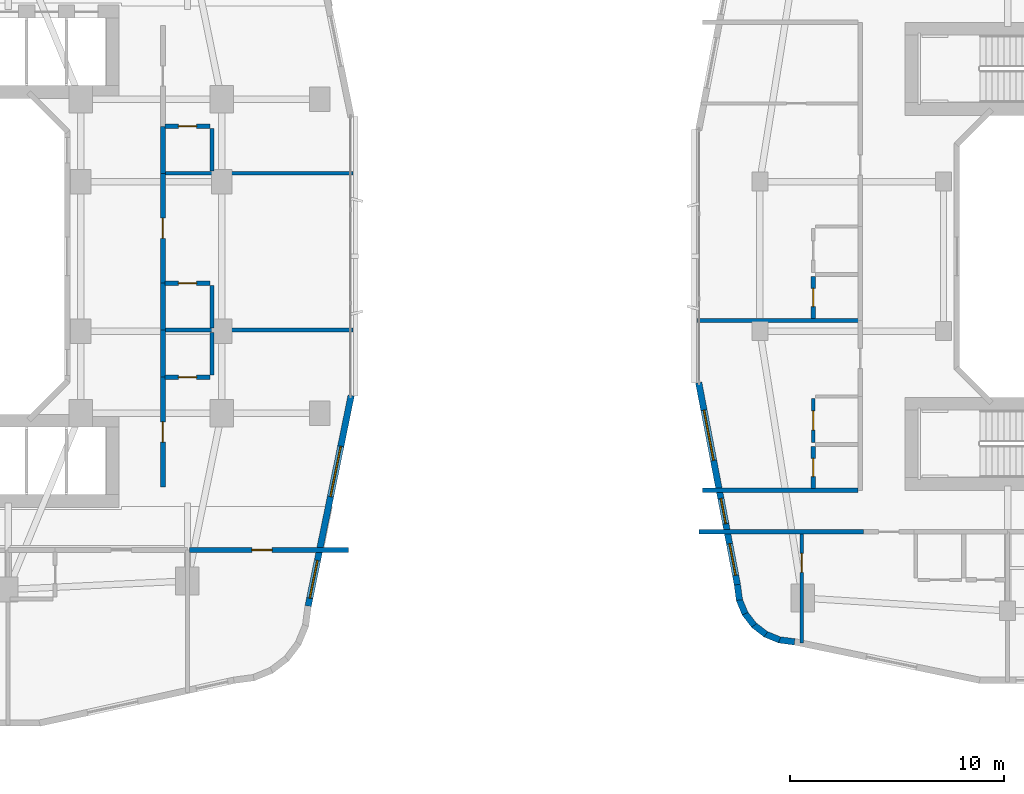
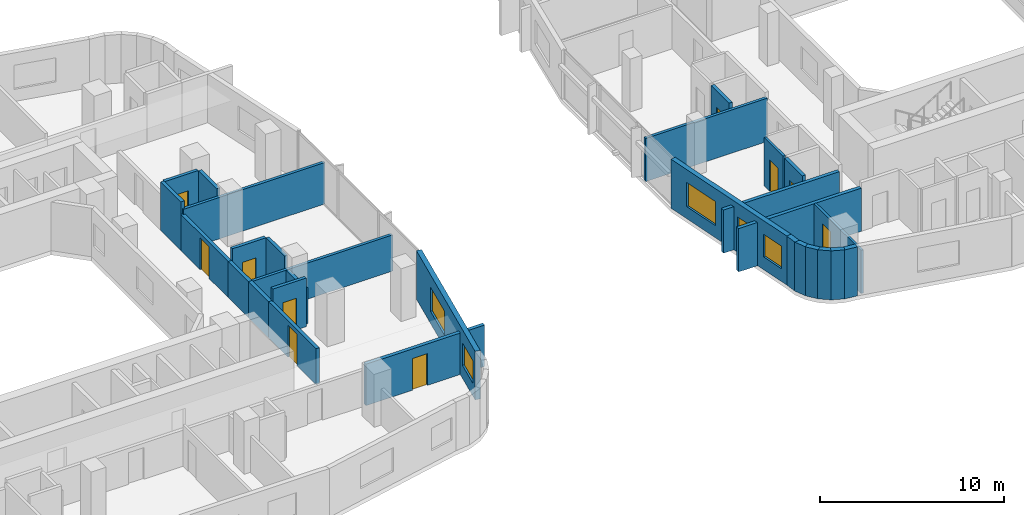
# One storey, part 10 of 22: 29 walls, 10 doors, 5 windows, 15 openings.
"""IFC4 building model written with IfcOpenShell, lengths in metres."""

from ifc_helpers import new_model, si_unit, derived_unit, direction, frame, frame_2d, origin, place, context, subcontext, project, spatial, rectangle, extrude, material, layer, layer_set, type_object, element, fill, save


model = new_model("IFC4")

# Units and contexts
model_context = context("Model", 3, precision=1e-05, world=origin(), true_north=direction((0.0, 1.0)))
body_context = subcontext(model_context, "Body", "Model", "MODEL_VIEW")
ifc_project = project(units=[si_unit("LENGTHUNIT", "METRE"), si_unit("AREAUNIT", "SQUARE_METRE"), si_unit("VOLUMEUNIT", "CUBIC_METRE"), si_unit("PLANEANGLEUNIT", "RADIAN"), si_unit("MASSUNIT", "GRAM", prefix="KILO"), derived_unit("THERMALTRANSMITTANCEUNIT", [(si_unit("POWERUNIT", "WATT"), 1), (si_unit("LENGTHUNIT", "METRE"), -2), (si_unit("THERMODYNAMICTEMPERATUREUNIT", "KELVIN"), -1)])], contexts=[model_context])

# Site, building, storey
site_placement = place(None, origin())
site = spatial("IfcSite", under=ifc_project, at=site_placement, CompositionType="ELEMENT")
building_placement = place(site_placement, origin())
building = spatial("IfcBuilding", under=site, at=building_placement, Name="Kivonza Crest Hotel", CompositionType="ELEMENT")
storey_placement = place(building_placement, frame((0.0, 0.0, 48.5)))
storey = spatial("IfcBuildingStorey", under=building, at=storey_placement, Name="L12", CompositionType="ELEMENT", Elevation=48.5)

# Walls
ifc_material_1 = material(Name="High-density acoustic masonry inter-tenancy wall", Category="masonry")
ifc_layer_1 = layer(ifc_material_1, 0.179931640625)
ifc_layer_set_1 = layer_set([ifc_layer_1], Name="High-density acoustic masonry inter-tenancy wall")
wall_type_1 = type_object("IfcWallType", Name="WL-ACOU-180", PredefinedType="SOLIDWALL", material=ifc_layer_set_1)
wall_1_placement = place(storey_placement, frame((33.050048828125, 21.5439453125, 0.0), z_axis=(0.0, 0.0, 1.0), x_axis=(1.0, 0.0, 0.0)))
element("IfcWall", 1, at=wall_1_placement, inside=storey, type_object=wall_type_1, Name="L12 interior partition WA-L12-T1E-DIV1", PredefinedType="SOLIDWALL", context=body_context, shape_type="SweptSolid", body=[
    extrude(rectangle(XDim=8.889892578125, YDim=0.179931640625, at=frame_2d((4.44482421875, 0.0))), origin(), (0.0, 0.0, 1.0), 2.39501953125),
])
wall_2_placement = place(storey_placement, frame((33.050048828125, 28.887939453125, 0.0), z_axis=(0.0, 0.0, 1.0), x_axis=(1.0, 0.0, 0.0)))
element("IfcWall", 2, at=wall_2_placement, inside=storey, type_object=wall_type_1, Name="L12 interior partition WA-L12-T1E-DIV2", PredefinedType="SOLIDWALL", context=body_context, shape_type="SweptSolid", body=[
    extrude(rectangle(XDim=8.889892578125, YDim=0.179931640625, at=frame_2d((4.44482421875, 0.0))), origin(), (0.0, 0.0, 1.0), 2.7451171875),
])
wall_3_placement = place(storey_placement, frame((58.06005859375, 22.0, 0.0), z_axis=(0.0, 0.0, 1.0), x_axis=(1.0, 0.0, 0.0)))
element("IfcWall", 3, at=wall_3_placement, inside=storey, type_object=wall_type_1, Name="L12 interior partition WA-L12-T2W-DIV1", PredefinedType="SOLIDWALL", context=body_context, shape_type="SweptSolid", body=[
    extrude(rectangle(XDim=7.639892578125, YDim=0.179931640625, at=frame_2d((3.81982421875, 0.0))), origin(), (0.0, 0.0, 1.0), 2.864990234375),
])

# Wall, opening, door
ifc_material_2 = material(Name="Autoclaved aerated concrete blockwork", Category="masonry")
ifc_layer_2 = layer(ifc_material_2, 0.219970703125)
ifc_layer_set_2 = layer_set([ifc_layer_2], Name="Autoclaved aerated concrete blockwork")
wall_type_2 = type_object("IfcWallType", Name="WL-ACOU-220", PredefinedType="SOLIDWALL", material=ifc_layer_set_2)
wall_4_placement = place(storey_placement, frame((34.300048828125, 11.25, 0.0), z_axis=(0.0, 0.0, 1.0), x_axis=(1.0, 0.0, 0.0)))
wall_4 = element("IfcWall", 4, at=wall_4_placement, inside=storey, type_object=wall_type_2, Name="L12 interior partition WA-L12-BUS-MTG-N", PredefinedType="SOLIDWALL", context=body_context, shape_type="SweptSolid", body=[
    extrude(rectangle(XDim=7.43994140625, YDim=0.219970703125, at=frame_2d((3.719970703125, 0.0))), origin(), (0.0, 0.0, 1.0), 2.7451171875),
])
opening_1_placement = place(wall_4_placement, frame((2.910888671875, 0.0, 0.0)))
opening_1 = element("IfcOpeningElement", 5, at=opening_1_placement, cuts=wall_4, Name="Opening DF-60S", PredefinedType="OPENING", context=body_context, shape_type="SweptSolid", body=[
    extrude(rectangle(XDim=0.949951171875, YDim=2.10009765625, at=frame_2d((0.47509765625, 1.050048828125))), frame((0.0, 0.1201171875, 0.0), z_axis=(0.0, -1.0, 0.0), x_axis=(1.0, 0.0, 0.0)), (0.0, 0.0, 1.0), 0.239990234375),
])
ifc_material_3 = material(Name="Hardwood timber oak", Category="wood")
door_type_1 = type_object("IfcDoorType", Name="DR-FD60-950", OperationType="NOTDEFINED", PredefinedType="DOOR", material=ifc_material_3)
door_1_placement = place(opening_1_placement, frame((0.949951171875, 0.0, 0.0), z_axis=(0.0, 0.0, 1.0), x_axis=(-1.0, 0.0, 0.0)))
door_1 = element("IfcDoor", 6, at=door_1_placement, inside=storey, type_object=door_type_1, Name="L12 Floor Conference Boardroom door", OperationType="SINGLE_SWING_RIGHT", OverallHeight=2.10009765625, OverallWidth=0.949951171875, PredefinedType="DOOR", context=body_context, shape_type="SweptSolid", body=[
    extrude(rectangle(XDim=0.949951171875, YDim=2.10009765625, at=frame_2d((0.47509765625, 1.050048828125))), frame((0.0, 0.02490234375, 0.0), z_axis=(0.0, -1.0, 0.0), x_axis=(1.0, 0.0, 0.0)), (0.0, 0.0, 1.0), 0.050048828125),
])
fill(opening_1, door_1)

# Wall
wall_5_placement = place(storey_placement, frame((33.050048828125, 19.343994140625, 0.0), z_axis=(0.0, 0.0, 1.0), x_axis=(0.0, 1.0, 0.0)))
element("IfcWall", 7, at=wall_5_placement, inside=storey, type_object=wall_type_2, Name="L12 interior partition WA-L12-E09-BCORR", PredefinedType="SOLIDWALL", context=body_context, shape_type="SweptSolid", body=[
    extrude(rectangle(XDim=2.199951171875, YDim=0.219970703125, at=frame_2d((1.10009765625, 0.0))), origin(), (0.0, 0.0, 1.0), 2.39501953125),
])

# Wall, opening, door
wall_6_placement = place(storey_placement, frame((33.050048828125, 14.199951171875, 0.0), z_axis=(0.0, 0.0, 1.0), x_axis=(0.0, 1.0, 0.0)))
wall_6 = element("IfcWall", 8, at=wall_6_placement, inside=storey, type_object=wall_type_2, Name="L12 interior partition WA-L12-E09-MCORR", PredefinedType="SOLIDWALL", context=body_context, shape_type="SweptSolid", body=[
    extrude(rectangle(XDim=5.14404296875, YDim=0.219970703125, at=frame_2d((2.572021484375, 0.0))), origin(), (0.0, 0.0, 1.0), 2.39501953125),
])
opening_2_placement = place(wall_6_placement, frame((2.096923828125, 0.0, 0.0)))
opening_2 = element("IfcOpeningElement", 9, at=opening_2_placement, cuts=wall_6, Name="Opening DU-60", PredefinedType="OPENING", context=body_context, shape_type="SweptSolid", body=[
    extrude(rectangle(XDim=0.949951171875, YDim=2.10009765625, at=frame_2d((0.47509765625, 1.050048828125))), frame((0.0, 0.1201171875, 0.0), z_axis=(0.0, -1.0, 0.0), x_axis=(1.0, 0.0, 0.0)), (0.0, 0.0, 1.0), 0.239990234375),
])
door_type_2 = type_object("IfcDoorType", Name="DR-UNIT-950", OperationType="NOTDEFINED", PredefinedType="DOOR", material=ifc_material_3)
door_2_placement = place(opening_2_placement, frame((0.949951171875, 0.0, 0.0), z_axis=(0.0, 0.0, 1.0), x_axis=(-1.0, 0.0, 0.0)))
door_2 = element("IfcDoor", 10, at=door_2_placement, inside=storey, type_object=door_type_2, Name="L12 E09 guest unit entrance fire door", OperationType="SINGLE_SWING_LEFT", OverallHeight=2.10009765625, OverallWidth=0.949951171875, PredefinedType="DOOR", context=body_context, shape_type="SweptSolid", body=[
    extrude(rectangle(XDim=0.949951171875, YDim=2.10009765625, at=frame_2d((0.47509765625, 1.050048828125))), frame((0.0, 0.02490234375, 0.0), z_axis=(0.0, -1.0, 0.0), x_axis=(1.0, 0.0, 0.0)), (0.0, 0.0, 1.0), 0.050048828125),
])
fill(opening_2, door_2)

# Wall
wall_7_placement = place(storey_placement, frame((33.050048828125, 21.5439453125, 0.0), z_axis=(0.0, 0.0, 1.0), x_axis=(0.0, 1.0, 0.0)))
element("IfcWall", 11, at=wall_7_placement, inside=storey, type_object=wall_type_2, Name="L12 interior partition WA-L12-E10-BCORR", PredefinedType="SOLIDWALL", context=body_context, shape_type="SweptSolid", body=[
    extrude(rectangle(XDim=2.199951171875, YDim=0.219970703125, at=frame_2d((1.10009765625, 0.0))), origin(), (0.0, 0.0, 1.0), 2.39501953125),
])

# Wall, opening, door
wall_8_placement = place(storey_placement, frame((33.050048828125, 23.743896484375, 0.0), z_axis=(0.0, 0.0, 1.0), x_axis=(0.0, 1.0, 0.0)))
wall_8 = element("IfcWall", 12, at=wall_8_placement, inside=storey, type_object=wall_type_2, Name="L12 interior partition WA-L12-E10-MCORR", PredefinedType="SOLIDWALL", context=body_context, shape_type="SweptSolid", body=[
    extrude(rectangle(XDim=5.14404296875, YDim=0.219970703125, at=frame_2d((2.572021484375, 0.0))), origin(), (0.0, 0.0, 1.0), 2.39501953125),
])
opening_3_placement = place(wall_8_placement, frame((2.096923828125, 0.0, 0.0)))
opening_3 = element("IfcOpeningElement", 13, at=opening_3_placement, cuts=wall_8, Name="Opening DU-60", PredefinedType="OPENING", context=body_context, shape_type="SweptSolid", body=[
    extrude(rectangle(XDim=0.949951171875, YDim=2.10009765625, at=frame_2d((0.47509765625, 1.050048828125))), frame((0.0, 0.1201171875, 0.0), z_axis=(0.0, -1.0, 0.0), x_axis=(1.0, 0.0, 0.0)), (0.0, 0.0, 1.0), 0.239990234375),
])
door_3_placement = place(opening_3_placement, frame((0.949951171875, 0.0, 0.0), z_axis=(0.0, 0.0, 1.0), x_axis=(-1.0, 0.0, 0.0)))
door_3 = element("IfcDoor", 14, at=door_3_placement, inside=storey, type_object=door_type_2, Name="L12 E10 guest unit entrance fire door", OperationType="SINGLE_SWING_RIGHT", OverallHeight=2.10009765625, OverallWidth=0.949951171875, PredefinedType="DOOR", context=body_context, shape_type="SweptSolid", body=[
    extrude(rectangle(XDim=0.949951171875, YDim=2.10009765625, at=frame_2d((0.47509765625, 1.050048828125))), frame((0.0, 0.02490234375, 0.0), z_axis=(0.0, -1.0, 0.0), x_axis=(1.0, 0.0, 0.0)), (0.0, 0.0, 1.0), 0.050048828125),
])
fill(opening_3, door_3)

# Walls
wall_9_placement = place(storey_placement, frame((33.050048828125, 28.887939453125, 0.0), z_axis=(0.0, 0.0, 1.0), x_axis=(0.0, 1.0, 0.0)))
element("IfcWall", 15, at=wall_9_placement, inside=storey, type_object=wall_type_2, Name="L12 interior partition WA-L12-E11-BCORR", PredefinedType="SOLIDWALL", context=body_context, shape_type="SweptSolid", body=[
    extrude(rectangle(XDim=2.199951171875, YDim=0.219970703125, at=frame_2d((1.10009765625, 0.0))), origin(), (0.0, 0.0, 1.0), 3.219970703125),
])
wall_10_placement = place(storey_placement, frame((58.159912109375, 12.10009765625, 0.0), z_axis=(0.0, 0.0, 1.0), x_axis=(1.0, 0.0, 0.0)))
element("IfcWall", 16, at=wall_10_placement, inside=storey, type_object=wall_type_2, Name="L12 interior partition WA-L12-A03-LCORR", PredefinedType="SOLIDWALL", context=body_context, shape_type="SweptSolid", body=[
    extrude(rectangle(XDim=7.690185546875, YDim=0.219970703125, at=frame_2d((3.84521484375, 0.0))), origin(), (0.0, 0.0, 1.0), 2.864990234375),
])
wall_11_placement = place(storey_placement, frame((58.320068359375, 14.0400390625, 0.0), z_axis=(0.0, 0.0, 1.0), x_axis=(1.0, 0.0, 0.0)))
element("IfcWall", 17, at=wall_11_placement, inside=storey, type_object=wall_type_2, Name="L12 interior partition WA-L12-T2W-ENDS", PredefinedType="SOLIDWALL", context=body_context, shape_type="SweptSolid", body=[
    extrude(rectangle(XDim=7.280029296875, YDim=0.219970703125, at=frame_2d((3.64013671875, 0.0))), origin(), (0.0, 0.0, 1.0), 2.864990234375),
])

# Wall, openings, windows
ifc_material_4 = material(Name="Precast concrete C40/50", Category="concrete")
ifc_layer_3 = layer(ifc_material_4, 0.300048828125)
ifc_layer_set_3 = layer_set([ifc_layer_3], Name="Precast concrete C40/50")
wall_type_3 = type_object("IfcWallType", Name="WL-EXT-300", PredefinedType="STANDARD", material=ifc_layer_set_3)
wall_12_placement = place(storey_placement, frame((39.85107421875, 8.6220703125, 0.0), z_axis=(0.0, 0.0, 1.0), x_axis=(0.199990901713, 0.979797754249, 0.0)))
wall_12 = element("IfcWall", 18, at=wall_12_placement, inside=storey, type_object=wall_type_3, Name="L12 T1 exterior insulated wall 16", PredefinedType="STANDARD", context=body_context, shape_type="SweptSolid", body=[
    extrude(rectangle(XDim=10.065185546875, YDim=0.300048828125, at=frame_2d((5.03271484375, 0.0))), origin(), (0.0, 0.0, 1.0), 3.219970703125),
])
opening_4_placement = place(wall_12_placement, frame((0.3779296875, 0.0, 0.85009765625)))
opening_4 = element("IfcOpeningElement", 19, at=opening_4_placement, cuts=wall_12, Name="Opening WN-03", PredefinedType="OPENING", context=body_context, shape_type="SweptSolid", body=[
    extrude(rectangle(XDim=1.800048828125, YDim=1.5, at=frame_2d((0.89990234375, 0.75))), frame((0.0, 0.16015625, 0.0), z_axis=(0.0, -1.0, 0.0), x_axis=(1.0, 0.0, 0.0)), (0.0, 0.0, 1.0), 0.320068359375),
])
opening_5_placement = place(wall_12_placement, frame((5.236083984375, 0.0, 0.800048828125)))
opening_5 = element("IfcOpeningElement", 20, at=opening_5_placement, cuts=wall_12, Name="Opening WN-05", PredefinedType="OPENING", context=body_context, shape_type="SweptSolid", body=[
    extrude(rectangle(XDim=2.39990234375, YDim=1.60009765625, at=frame_2d((1.199951171875, 0.800048828125))), frame((0.0, 0.16015625, 0.0), z_axis=(0.0, -1.0, 0.0), x_axis=(1.0, 0.0, 0.0)), (0.0, 0.0, 1.0), 0.320068359375),
])
ifc_material_5 = material(Name="Thermally broken bronze aluminium and low-E double glazing", Category="aluminium")
window_type_1 = type_object("IfcWindowType", Name="WN-180x150", PartitioningType="DOUBLE_PANEL_VERTICAL", PredefinedType="WINDOW", material=ifc_material_5)
window_1_placement = place(opening_4_placement, origin())
window_1 = element("IfcWindow", 21, at=window_1_placement, inside=storey, type_object=window_type_1, Name="L12 T1 facade window 16 bay 1", OverallHeight=1.5, OverallWidth=1.800048828125, PartitioningType="SINGLE_PANEL", PredefinedType="WINDOW", context=body_context, shape_type="SweptSolid", body=[
    extrude(rectangle(XDim=1.800048828125, YDim=1.5, at=frame_2d((0.89990234375, 0.75))), frame((0.0, 0.030029296875, 0.0), z_axis=(0.0, -1.0, 0.0), x_axis=(1.0, 0.0, 0.0)), (0.0, 0.0, 1.0), 0.06005859375),
])
fill(opening_4, window_1)
window_type_2 = type_object("IfcWindowType", Name="WN-240x160", PartitioningType="TRIPLE_PANEL_VERTICAL", PredefinedType="WINDOW", material=ifc_material_5)
window_2_placement = place(opening_5_placement, origin())
window_2 = element("IfcWindow", 22, at=window_2_placement, inside=storey, type_object=window_type_2, Name="L12 T1 facade window 16 bay 2", OverallHeight=1.60009765625, OverallWidth=2.39990234375, PartitioningType="SINGLE_PANEL", PredefinedType="WINDOW", context=body_context, shape_type="SweptSolid", body=[
    extrude(rectangle(XDim=2.39990234375, YDim=1.60009765625, at=frame_2d((1.199951171875, 0.800048828125))), frame((0.0, 0.030029296875, 0.0), z_axis=(0.0, -1.0, 0.0), x_axis=(1.0, 0.0, 0.0)), (0.0, 0.0, 1.0), 0.06005859375),
])
fill(opening_5, window_2)

# Walls
wall_13_placement = place(storey_placement, frame((59.947998046875, 9.626953125, 0.0), z_axis=(0.0, 0.0, 1.0), x_axis=(0.130255288807, -0.991480488834, 0.0)))
element("IfcWall", 23, at=wall_13_placement, inside=storey, type_object=wall_type_3, Name="L12 T2 exterior insulated wall 1", PredefinedType="STANDARD", context=body_context, shape_type="SweptSolid", body=[
    extrude(rectangle(XDim=0.72900390625, YDim=0.300048828125, at=frame_2d((0.364501953125, 0.0))), origin(), (0.0, 0.0, 1.0), 3.25),
])
for number, where, z_axis, x_axis, name in (
    (24, (60.02392578125, 8.955078125, 0.0), (0.0, 0.0, 1.0), (0.383546213491, -0.923521684703, 0.0), "L12 T2 exterior insulated wall 2"),
    (25, (60.279052734375, 8.31103515625, 0.0), (0.0, 0.0, 1.0), (0.608397189915, -0.79363269798, 0.0), "L12 T2 exterior insulated wall 3"),
    (26, (60.69091796875, 7.75390625, 0.0), (0.0, 0.0, 1.0), (0.79363269798, -0.608397189915, 0.0), "L12 T2 exterior insulated wall 4"),
    (27, (61.23388671875, 7.323974609375, 0.0), (0.0, 0.0, 1.0), (0.923685632463, -0.383151213466, 0.0), "L12 T2 exterior insulated wall 5"),
):
    element("IfcWall", number, at=place(storey_placement, frame(where, z_axis=z_axis, x_axis=x_axis)), inside=storey, type_object=wall_type_3, Name=name, PredefinedType="STANDARD", context=body_context, shape_type="SweptSolid", body=[
        extrude(rectangle(XDim=0.74609375, YDim=0.300048828125, at=frame_2d((0.373046875, 0.0))), origin(), (0.0, 0.0, 1.0), 3.25),
    ])
wall_14_placement = place(storey_placement, frame((61.868896484375, 7.047119140625, 0.0), z_axis=(0.0, 0.0, 1.0), x_axis=(0.991559404866, -0.129653178221, 0.0)))
element("IfcWall", 28, at=wall_14_placement, inside=storey, type_object=wall_type_3, Name="L12 T2 exterior insulated wall 6", PredefinedType="STANDARD", context=body_context, shape_type="SweptSolid", body=[
    extrude(rectangle(XDim=0.764404296875, YDim=0.300048828125, at=frame_2d((0.38232421875, 0.0))), origin(), (0.0, 0.0, 1.0), 3.25),
])

# Wall, openings, windows
wall_15_placement = place(storey_placement, frame((58.136962890625, 19.08203125, 0.0), z_axis=(0.0, 0.0, 1.0), x_axis=(0.188087874316, -0.982152203854, 0.0)))
wall_15 = element("IfcWall", 29, at=wall_15_placement, inside=storey, type_object=wall_type_3, Name="L12 T2 exterior insulated wall 36", PredefinedType="STANDARD", context=body_context, shape_type="SweptSolid", body=[
    extrude(rectangle(XDim=9.6337890625, YDim=0.300048828125, at=frame_2d((4.81689453125, 0.0))), origin(), (0.0, 0.0, 1.0), 3.25),
])
opening_6_placement = place(wall_15_placement, frame((1.305908203125, 0.0, 0.800048828125)))
opening_6 = element("IfcOpeningElement", 30, at=opening_6_placement, cuts=wall_15, Name="Opening WN-05", PredefinedType="OPENING", context=body_context, shape_type="SweptSolid", body=[
    extrude(rectangle(XDim=2.39990234375, YDim=1.60009765625, at=frame_2d((1.199951171875, 0.800048828125))), frame((0.0, 0.16015625, 0.0), z_axis=(0.0, -1.0, 0.0), x_axis=(1.0, 0.0, 0.0)), (0.0, 0.0, 1.0), 0.320068359375),
])
opening_7_placement = place(wall_15_placement, frame((5.52099609375, 0.0, 0.85009765625)))
opening_7 = element("IfcOpeningElement", 31, at=opening_7_placement, cuts=wall_15, Name="Opening WN-01", PredefinedType="OPENING", context=body_context, shape_type="SweptSolid", body=[
    extrude(rectangle(XDim=1.199951171875, YDim=1.5, at=frame_2d((0.60009765625, 0.75))), frame((0.0, 0.16015625, 0.0), z_axis=(0.0, -1.0, 0.0), x_axis=(1.0, 0.0, 0.0)), (0.0, 0.0, 1.0), 0.320068359375),
])
opening_8_placement = place(wall_15_placement, frame((7.681884765625, 0.0, 0.85009765625)))
opening_8 = element("IfcOpeningElement", 32, at=opening_8_placement, cuts=wall_15, Name="Opening WN-02", PredefinedType="OPENING", context=body_context, shape_type="SweptSolid", body=[
    extrude(rectangle(XDim=1.5, YDim=1.5, at=frame_2d((0.75, 0.75))), frame((0.0, 0.16015625, 0.0), z_axis=(0.0, -1.0, 0.0), x_axis=(1.0, 0.0, 0.0)), (0.0, 0.0, 1.0), 0.320068359375),
])
window_type_3 = type_object("IfcWindowType", Name="WN-120x150", PartitioningType="SINGLE_PANEL", PredefinedType="WINDOW", material=ifc_material_5)
window_3_placement = place(opening_7_placement, origin())
window_3 = element("IfcWindow", 33, at=window_3_placement, inside=storey, type_object=window_type_3, Name="L12 T2 facade window 36 bay 2", OverallHeight=1.5, OverallWidth=1.199951171875, PartitioningType="SINGLE_PANEL", PredefinedType="WINDOW", context=body_context, shape_type="SweptSolid", body=[
    extrude(rectangle(XDim=1.199951171875, YDim=1.5, at=frame_2d((0.60009765625, 0.75))), frame((0.0, 0.030029296875, 0.0), z_axis=(0.0, -1.0, 0.0), x_axis=(1.0, 0.0, 0.0)), (0.0, 0.0, 1.0), 0.06005859375),
])
fill(opening_7, window_3)
window_type_4 = type_object("IfcWindowType", Name="WN-150x150", PartitioningType="DOUBLE_PANEL_VERTICAL", PredefinedType="WINDOW", material=ifc_material_5)
window_4_placement = place(opening_8_placement, origin())
window_4 = element("IfcWindow", 34, at=window_4_placement, inside=storey, type_object=window_type_4, Name="L12 T2 facade window 36 bay 3", OverallHeight=1.5, OverallWidth=1.5, PartitioningType="SINGLE_PANEL", PredefinedType="WINDOW", context=body_context, shape_type="SweptSolid", body=[
    extrude(rectangle(XDim=1.5, YDim=1.5, at=frame_2d((0.75, 0.75))), frame((0.0, 0.030029296875, 0.0), z_axis=(0.0, -1.0, 0.0), x_axis=(1.0, 0.0, 0.0)), (0.0, 0.0, 1.0), 0.06005859375),
])
fill(opening_8, window_4)
window_5_placement = place(opening_6_placement, origin())
window_5 = element("IfcWindow", 35, at=window_5_placement, inside=storey, type_object=window_type_2, Name="L12 T2 facade window 36 bay 1", OverallHeight=1.60009765625, OverallWidth=2.39990234375, PartitioningType="SINGLE_PANEL", PredefinedType="WINDOW", context=body_context, shape_type="SweptSolid", body=[
    extrude(rectangle(XDim=2.39990234375, YDim=1.60009765625, at=frame_2d((1.199951171875, 0.800048828125))), frame((0.0, 0.030029296875, 0.0), z_axis=(0.0, -1.0, 0.0), x_axis=(1.0, 0.0, 0.0)), (0.0, 0.0, 1.0), 0.06005859375),
])
fill(opening_6, window_5)

# Wall, opening, door
ifc_material_6 = material(Name="Twin-stud acoustic gypsum board partition", Category="gypsum")
ifc_layer_4 = layer(ifc_material_6, 0.14990234375)
ifc_layer_set_4 = layer_set([ifc_layer_4], Name="Twin-stud acoustic gypsum board partition")
wall_type_4 = type_object("IfcWallType", Name="WL-PART-150", PredefinedType="PARTITIONING", material=ifc_layer_set_4)
wall_16_placement = place(storey_placement, frame((62.9599609375, 6.886962890625, 0.0), z_axis=(0.0, 0.0, 1.0), x_axis=(0.0, 1.0, 0.0)))
wall_16 = element("IfcWall", 36, at=wall_16_placement, inside=storey, type_object=wall_type_4, Name="L12 interior partition WP-L12-A03-BDW1", PredefinedType="PARTITIONING", context=body_context, shape_type="SweptSolid", body=[
    extrude(rectangle(XDim=5.113037109375, YDim=0.14990234375, at=frame_2d((2.556640625, 0.0))), origin(), (0.0, 0.0, 1.0), 2.864990234375),
])
opening_9_placement = place(wall_16_placement, frame((3.31005859375, 0.0, 0.0)))
opening_9 = element("IfcOpeningElement", 37, at=opening_9_placement, cuts=wall_16, Name="Opening DI-90", PredefinedType="OPENING", context=body_context, shape_type="SweptSolid", body=[
    extrude(rectangle(XDim=0.89990234375, YDim=2.10009765625, at=frame_2d((0.449951171875, 1.050048828125))), frame((0.0, 0.0849609375, 0.0), z_axis=(0.0, -1.0, 0.0), x_axis=(1.0, 0.0, 0.0)), (0.0, 0.0, 1.0), 0.169921875),
])
door_type_3 = type_object("IfcDoorType", Name="DR-INT-900", OperationType="NOTDEFINED", PredefinedType="DOOR", material=ifc_material_3)
door_4_placement = place(opening_9_placement, origin())
door_4 = element("IfcDoor", 38, at=door_4_placement, inside=storey, type_object=door_type_3, Name="L12 A03 bedroom 1 door", OperationType="SINGLE_SWING_RIGHT", OverallHeight=2.10009765625, OverallWidth=0.89990234375, PredefinedType="DOOR", context=body_context, shape_type="SweptSolid", body=[
    extrude(rectangle(XDim=0.89990234375, YDim=2.10009765625, at=frame_2d((0.449951171875, 1.050048828125))), frame((0.0, 0.02490234375, 0.0), z_axis=(0.0, -1.0, 0.0), x_axis=(1.0, 0.0, 0.0)), (0.0, 0.0, 1.0), 0.050048828125),
])
fill(opening_9, door_4)

wall_17_placement = place(storey_placement, frame((63.5, 16.2900390625, 0.0), z_axis=(0.0, 0.0, 1.0), x_axis=(0.0, 1.0, 0.0)))
wall_17 = element("IfcWall", 39, at=wall_17_placement, inside=storey, type_object=wall_type_4, Name="L12 interior partition WP-L12-A05-KSVC", PredefinedType="PARTITIONING", context=body_context, shape_type="SweptSolid", body=[
    extrude(rectangle(XDim=2.050048828125, YDim=0.14990234375, at=frame_2d((1.02490234375, 0.0))), origin(), (0.0, 0.0, 1.0), 3.219970703125),
])
opening_10_placement = place(wall_17_placement, frame((0.574951171875, 0.0, 0.0)))
opening_10 = element("IfcOpeningElement", 40, at=opening_10_placement, cuts=wall_17, Name="Opening DI-90", PredefinedType="OPENING", context=body_context, shape_type="SweptSolid", body=[
    extrude(rectangle(XDim=0.89990234375, YDim=2.10009765625, at=frame_2d((0.449951171875, 1.050048828125))), frame((0.0, 0.0849609375, 0.0), z_axis=(0.0, -1.0, 0.0), x_axis=(1.0, 0.0, 0.0)), (0.0, 0.0, 1.0), 0.169921875),
])
door_5_placement = place(opening_10_placement, origin())
door_5 = element("IfcDoor", 41, at=door_5_placement, inside=storey, type_object=door_type_3, Name="L12 A05 apartment kitchen door", OperationType="SINGLE_SWING_LEFT", OverallHeight=2.10009765625, OverallWidth=0.89990234375, PredefinedType="DOOR", context=body_context, shape_type="SweptSolid", body=[
    extrude(rectangle(XDim=0.89990234375, YDim=2.10009765625, at=frame_2d((0.449951171875, 1.050048828125))), frame((0.0, 0.02490234375, 0.0), z_axis=(0.0, -1.0, 0.0), x_axis=(1.0, 0.0, 0.0)), (0.0, 0.0, 1.0), 0.050048828125),
])
fill(opening_10, door_5)

ifc_material_7 = material(Name="Moisture-resistant plumbing chase partition wall", Category="gypsum")
ifc_layer_5 = layer(ifc_material_7, 0.199951171875)
ifc_layer_set_5 = layer_set([ifc_layer_5], Name="Moisture-resistant plumbing chase partition wall")
wall_type_5 = type_object("IfcWallType", Name="WL-PLUMB-200", PredefinedType="PLUMBINGWALL", material=ifc_layer_set_5)
wall_18_placement = place(storey_placement, frame((33.14990234375, 19.343994140625, 0.0), z_axis=(0.0, 0.0, 1.0), x_axis=(1.0, 0.0, 0.0)))
wall_18 = element("IfcWall", 42, at=wall_18_placement, inside=storey, type_object=wall_type_5, Name="L12 interior partition WW-L12-E09-BH", PredefinedType="PLUMBINGWALL", context=body_context, shape_type="SweptSolid", body=[
    extrude(rectangle(XDim=2.10009765625, YDim=0.199951171875, at=frame_2d((1.050048828125, 0.0))), origin(), (0.0, 0.0, 1.0), 3.219970703125),
])
opening_11_placement = place(wall_18_placement, frame((0.625, 0.0, 0.0)))
opening_11 = element("IfcOpeningElement", 43, at=opening_11_placement, cuts=wall_18, Name="Opening DI-85", PredefinedType="OPENING", context=body_context, shape_type="SweptSolid", body=[
    extrude(rectangle(XDim=0.85009765625, YDim=2.10009765625, at=frame_2d((0.425048828125, 1.050048828125))), frame((0.0, 0.10986328125, 0.0), z_axis=(0.0, -1.0, 0.0), x_axis=(1.0, 0.0, 0.0)), (0.0, 0.0, 1.0), 0.219970703125),
])
door_type_4 = type_object("IfcDoorType", Name="DR-INT-850", OperationType="NOTDEFINED", PredefinedType="DOOR", material=ifc_material_3)
door_6_placement = place(opening_11_placement, frame((0.85009765625, 0.0, 0.0), z_axis=(0.0, 0.0, 1.0), x_axis=(-1.0, 0.0, 0.0)))
door_6 = element("IfcDoor", 44, at=door_6_placement, inside=storey, type_object=door_type_4, Name="L12 E09 en-suite bathroom door", OperationType="SINGLE_SWING_RIGHT", OverallHeight=2.10009765625, OverallWidth=0.85009765625, PredefinedType="DOOR", context=body_context, shape_type="SweptSolid", body=[
    extrude(rectangle(XDim=0.85009765625, YDim=2.10009765625, at=frame_2d((0.425048828125, 1.050048828125))), frame((0.0, 0.02490234375, 0.0), z_axis=(0.0, -1.0, 0.0), x_axis=(1.0, 0.0, 0.0)), (0.0, 0.0, 1.0), 0.050048828125),
])
fill(opening_11, door_6)

# Wall
wall_19_placement = place(storey_placement, frame((35.35009765625, 19.444091796875, 0.0), z_axis=(0.0, 0.0, 1.0), x_axis=(0.0, 1.0, 0.0)))
element("IfcWall", 45, at=wall_19_placement, inside=storey, type_object=wall_type_5, Name="L12 interior partition WW-L12-E09-BV", PredefinedType="PLUMBINGWALL", context=body_context, shape_type="SweptSolid", body=[
    extrude(rectangle(XDim=2.0, YDim=0.199951171875, at=frame_2d((1.0, 0.0))), origin(), (0.0, 0.0, 1.0), 2.39501953125),
])

# Wall, opening, door
wall_20_placement = place(storey_placement, frame((33.14990234375, 23.743896484375, 0.0), z_axis=(0.0, 0.0, 1.0), x_axis=(1.0, 0.0, 0.0)))
wall_20 = element("IfcWall", 46, at=wall_20_placement, inside=storey, type_object=wall_type_5, Name="L12 interior partition WW-L12-E10-BH", PredefinedType="PLUMBINGWALL", context=body_context, shape_type="SweptSolid", body=[
    extrude(rectangle(XDim=2.10009765625, YDim=0.199951171875, at=frame_2d((1.050048828125, 0.0))), origin(), (0.0, 0.0, 1.0), 3.219970703125),
])
opening_12_placement = place(wall_20_placement, frame((0.625, 0.0, 0.0)))
opening_12 = element("IfcOpeningElement", 47, at=opening_12_placement, cuts=wall_20, Name="Opening DI-85", PredefinedType="OPENING", context=body_context, shape_type="SweptSolid", body=[
    extrude(rectangle(XDim=0.85009765625, YDim=2.10009765625, at=frame_2d((0.425048828125, 1.050048828125))), frame((0.0, 0.10986328125, 0.0), z_axis=(0.0, -1.0, 0.0), x_axis=(1.0, 0.0, 0.0)), (0.0, 0.0, 1.0), 0.219970703125),
])
door_7_placement = place(opening_12_placement, origin())
door_7 = element("IfcDoor", 48, at=door_7_placement, inside=storey, type_object=door_type_4, Name="L12 E10 en-suite bathroom door", OperationType="SINGLE_SWING_LEFT", OverallHeight=2.10009765625, OverallWidth=0.85009765625, PredefinedType="DOOR", context=body_context, shape_type="SweptSolid", body=[
    extrude(rectangle(XDim=0.85009765625, YDim=2.10009765625, at=frame_2d((0.425048828125, 1.050048828125))), frame((0.0, 0.02490234375, 0.0), z_axis=(0.0, -1.0, 0.0), x_axis=(1.0, 0.0, 0.0)), (0.0, 0.0, 1.0), 0.050048828125),
])
fill(opening_12, door_7)

# Wall
wall_21_placement = place(storey_placement, frame((35.35009765625, 21.64404296875, 0.0), z_axis=(0.0, 0.0, 1.0), x_axis=(0.0, 1.0, 0.0)))
element("IfcWall", 49, at=wall_21_placement, inside=storey, type_object=wall_type_5, Name="L12 interior partition WW-L12-E10-BV", PredefinedType="PLUMBINGWALL", context=body_context, shape_type="SweptSolid", body=[
    extrude(rectangle(XDim=2.0, YDim=0.199951171875, at=frame_2d((1.0, 0.0))), origin(), (0.0, 0.0, 1.0), 3.219970703125),
])

# Wall, opening, door
wall_22_placement = place(storey_placement, frame((33.14990234375, 31.087890625, 0.0), z_axis=(0.0, 0.0, 1.0), x_axis=(1.0, 0.0, 0.0)))
wall_22 = element("IfcWall", 50, at=wall_22_placement, inside=storey, type_object=wall_type_5, Name="L12 interior partition WW-L12-E11-BH", PredefinedType="PLUMBINGWALL", context=body_context, shape_type="SweptSolid", body=[
    extrude(rectangle(XDim=2.10009765625, YDim=0.199951171875, at=frame_2d((1.050048828125, 0.0))), origin(), (0.0, 0.0, 1.0), 3.219970703125),
])
opening_13_placement = place(wall_22_placement, frame((0.625, 0.0, 0.0)))
opening_13 = element("IfcOpeningElement", 51, at=opening_13_placement, cuts=wall_22, Name="Opening DI-85", PredefinedType="OPENING", context=body_context, shape_type="SweptSolid", body=[
    extrude(rectangle(XDim=0.85009765625, YDim=2.10009765625, at=frame_2d((0.425048828125, 1.050048828125))), frame((0.0, 0.10986328125, 0.0), z_axis=(0.0, -1.0, 0.0), x_axis=(1.0, 0.0, 0.0)), (0.0, 0.0, 1.0), 0.219970703125),
])
door_8_placement = place(opening_13_placement, origin())
door_8 = element("IfcDoor", 52, at=door_8_placement, inside=storey, type_object=door_type_4, Name="L12 E11 en-suite bathroom door", OperationType="SINGLE_SWING_RIGHT", OverallHeight=2.10009765625, OverallWidth=0.85009765625, PredefinedType="DOOR", context=body_context, shape_type="SweptSolid", body=[
    extrude(rectangle(XDim=0.85009765625, YDim=2.10009765625, at=frame_2d((0.425048828125, 1.050048828125))), frame((0.0, 0.02490234375, 0.0), z_axis=(0.0, -1.0, 0.0), x_axis=(1.0, 0.0, 0.0)), (0.0, 0.0, 1.0), 0.050048828125),
])
fill(opening_13, door_8)

# Wall
wall_23_placement = place(storey_placement, frame((35.35009765625, 28.988037109375, 0.0), z_axis=(0.0, 0.0, 1.0), x_axis=(0.0, 1.0, 0.0)))
element("IfcWall", 53, at=wall_23_placement, inside=storey, type_object=wall_type_5, Name="L12 interior partition WW-L12-E11-BV", PredefinedType="PLUMBINGWALL", context=body_context, shape_type="SweptSolid", body=[
    extrude(rectangle(XDim=2.0, YDim=0.199951171875, at=frame_2d((1.0, 0.0))), origin(), (0.0, 0.0, 1.0), 3.219970703125),
])

# Wall, opening, door
wall_24_placement = place(storey_placement, frame((63.5, 14.139892578125, 0.0), z_axis=(0.0, 0.0, 1.0), x_axis=(0.0, 1.0, 0.0)))
wall_24 = element("IfcWall", 54, at=wall_24_placement, inside=storey, type_object=wall_type_5, Name="L12 interior partition WW-L12-A05-BSVC", PredefinedType="PLUMBINGWALL", context=body_context, shape_type="SweptSolid", body=[
    extrude(rectangle(XDim=1.9501953125, YDim=0.199951171875, at=frame_2d((0.97509765625, 0.0))), origin(), (0.0, 0.0, 1.0), 3.219970703125),
])
opening_14_placement = place(wall_24_placement, frame((0.550048828125, 0.0, 0.0)))
opening_14 = element("IfcOpeningElement", 55, at=opening_14_placement, cuts=wall_24, Name="Opening DI-85", PredefinedType="OPENING", context=body_context, shape_type="SweptSolid", body=[
    extrude(rectangle(XDim=0.85009765625, YDim=2.10009765625, at=frame_2d((0.425048828125, 1.050048828125))), frame((0.0, 0.10986328125, 0.0), z_axis=(0.0, -1.0, 0.0), x_axis=(1.0, 0.0, 0.0)), (0.0, 0.0, 1.0), 0.219970703125),
])
door_9_placement = place(opening_14_placement, origin())
door_9 = element("IfcDoor", 56, at=door_9_placement, inside=storey, type_object=door_type_4, Name="L12 A05 apartment bathroom door", OperationType="SINGLE_SWING_RIGHT", OverallHeight=2.10009765625, OverallWidth=0.85009765625, PredefinedType="DOOR", context=body_context, shape_type="SweptSolid", body=[
    extrude(rectangle(XDim=0.85009765625, YDim=2.10009765625, at=frame_2d((0.425048828125, 1.050048828125))), frame((0.0, 0.02490234375, 0.0), z_axis=(0.0, -1.0, 0.0), x_axis=(1.0, 0.0, 0.0)), (0.0, 0.0, 1.0), 0.050048828125),
])
fill(opening_14, door_9)

wall_25_placement = place(storey_placement, frame((63.5, 22.10009765625, 0.0), z_axis=(0.0, 0.0, 1.0), x_axis=(0.0, 1.0, 0.0)))
wall_25 = element("IfcWall", 57, at=wall_25_placement, inside=storey, type_object=wall_type_5, Name="L12 interior partition WW-L12-A06-BSVC", PredefinedType="PLUMBINGWALL", context=body_context, shape_type="SweptSolid", body=[
    extrude(rectangle(XDim=1.949951171875, YDim=0.199951171875, at=frame_2d((0.97509765625, 0.0))), origin(), (0.0, 0.0, 1.0), 3.219970703125),
])
opening_15_placement = place(wall_25_placement, frame((0.550048828125, 0.0, 0.0)))
opening_15 = element("IfcOpeningElement", 58, at=opening_15_placement, cuts=wall_25, Name="Opening DI-85", PredefinedType="OPENING", context=body_context, shape_type="SweptSolid", body=[
    extrude(rectangle(XDim=0.85009765625, YDim=2.10009765625, at=frame_2d((0.425048828125, 1.050048828125))), frame((0.0, 0.10986328125, 0.0), z_axis=(0.0, -1.0, 0.0), x_axis=(1.0, 0.0, 0.0)), (0.0, 0.0, 1.0), 0.219970703125),
])
door_10_placement = place(opening_15_placement, origin())
door_10 = element("IfcDoor", 59, at=door_10_placement, inside=storey, type_object=door_type_4, Name="L12 A06 apartment bathroom door", OperationType="SINGLE_SWING_LEFT", OverallHeight=2.10009765625, OverallWidth=0.85009765625, PredefinedType="DOOR", context=body_context, shape_type="SweptSolid", body=[
    extrude(rectangle(XDim=0.85009765625, YDim=2.10009765625, at=frame_2d((0.425048828125, 1.050048828125))), frame((0.0, 0.02490234375, 0.0), z_axis=(0.0, -1.0, 0.0), x_axis=(1.0, 0.0, 0.0)), (0.0, 0.0, 1.0), 0.050048828125),
])
fill(opening_15, door_10)

save(model, "model.ifc")
